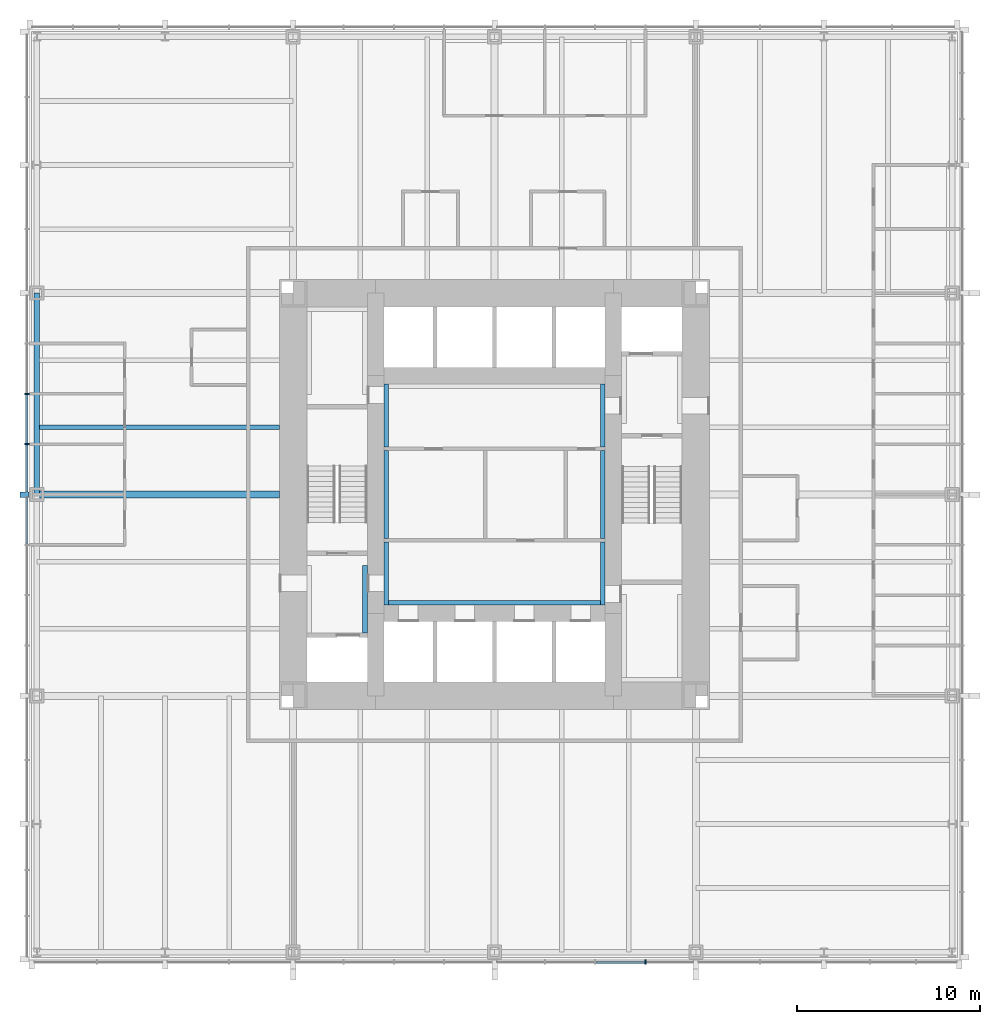
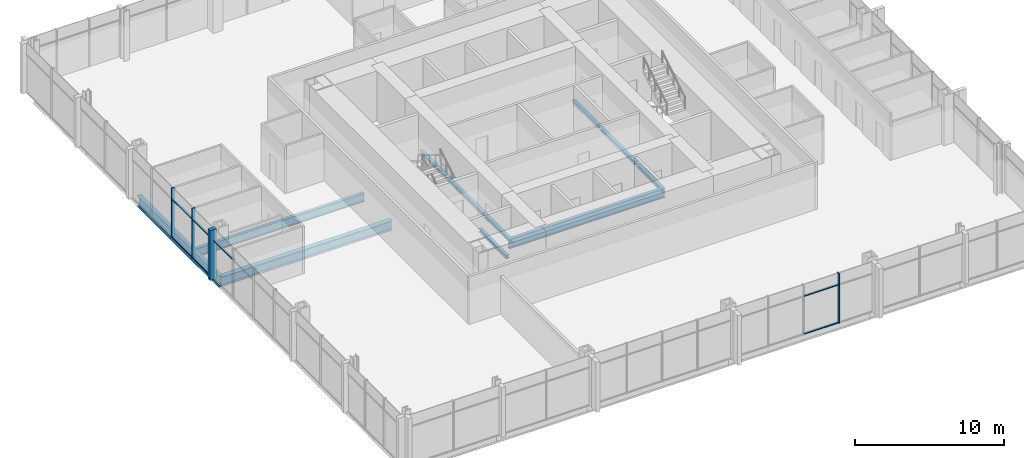
# One storey, part 3 of 12: 11 beams, 11 members, 2 elements without a shape of their own.
"""IFC4 building model written with IfcOpenShell, lengths in metres."""

from ifc_helpers import new_model, si_unit, direction, frame, origin, origin_2d, place, context, subcontext, project, spatial, rectangle, i_section, extrude, material, material_profile, profile_set, type_object, element, aggregate, save


model = new_model("IFC4")

# Units and contexts
model_context = context("Model", 3, precision=1e-05, world=origin(), true_north=direction((0.0, 1.0)))
body_context = subcontext(model_context, "Body", "Model", "MODEL_VIEW")
ifc_project = project(units=[si_unit("LENGTHUNIT", "METRE"), si_unit("AREAUNIT", "SQUARE_METRE"), si_unit("VOLUMEUNIT", "CUBIC_METRE"), si_unit("PLANEANGLEUNIT", "RADIAN"), si_unit("MASSUNIT", "GRAM", prefix="KILO")], contexts=[model_context])

# Site, building, storey
site_placement = place(None, origin())
site = spatial("IfcSite", under=ifc_project, at=site_placement, CompositionType="ELEMENT")
building_placement = place(site_placement, origin())
building = spatial("IfcBuilding", under=site, at=building_placement, Name="Trevanion Tower", CompositionType="ELEMENT")
storey_placement = place(building_placement, frame((0.0, 0.0, 52.89990234375)))
storey = spatial("IfcBuildingStorey", under=building, at=storey_placement, Name="L12", CompositionType="ELEMENT", Elevation=52.89990234375)

# Beam
ifc_material_1 = material(Name="Steel ASTM A992 Grade 50", Category="steel")
ifc_material_profile_1 = material_profile(ifc_material_1, i_section(OverallWidth=0.25390625, OverallDepth=0.700927734375, WebThickness=0.015380859375, FlangeThickness=0.02783203125, at=origin_2d()), Name="W27X129")
ifc_profile_set_1 = profile_set([ifc_material_profile_1], Name="Steel ASTM A992 Grade 50")
beam_type_1 = type_object("IfcBeamType", Name="B3 W27X129", PredefinedType="BEAM", material=ifc_profile_set_1)
beam_1_placement = place(storey_placement, frame((-11.75, 3.666748046875, -0.540283203125), z_axis=(-1.0, 0.0, 0.0), x_axis=(0.0, -1.0, 0.0)))
element("IfcBeam", 1, at=beam_1_placement, inside=storey, type_object=beam_type_1, Name="B3 L12", PredefinedType="BEAM", context=body_context, shape_type="SweptSolid", body=[
    extrude(i_section(OverallWidth=0.25390625, OverallDepth=0.700927734375, WebThickness=0.015380859375, FlangeThickness=0.02783203125, at=origin_2d()), origin(), (0.0, 0.0, 1.0), 13.25),
])

# Curtain wall, members
ifc_material_2 = material(Name="Aluminium and glass", Category="aluminium")
curtain_wall_type = type_object("IfcCurtainWallType", Name="CW1 curtain wall", PredefinedType="USERDEFINED", material=ifc_material_2)
curtain_wall_1_placement = place(storey_placement, origin())
curtain_wall_1 = element("IfcCurtainWall", 2, at=curtain_wall_1_placement, inside=storey, type_object=curtain_wall_type, Name="CW1 L12 2", ObjectType="UNITISED CURTAIN WALL", PredefinedType="USERDEFINED")
ifc_material_3 = material(Name="Aluminium extrusion, anodised bronze", Category="aluminium")
ifc_material_profile_2 = material_profile(ifc_material_3, rectangle(XDim=0.074951171875, YDim=0.25, at=origin_2d()), Name="CW1 mullion")
ifc_profile_set_2 = profile_set([ifc_material_profile_2], Name="Aluminium extrusion, anodised bronze")
member_type_1 = type_object("IfcMemberType", Name="CW1 mullion", PredefinedType="MULLION", material=ifc_profile_set_2)
member_1_placement = place(storey_placement, frame((-25.550048828125, 5.5, -0.18994140625), z_axis=(0.0, 0.0, 1.0), x_axis=(0.0, -1.0, 0.0)))
member_1 = element("IfcMember", 3, at=member_1_placement, type_object=member_type_1, Name="CW1 mullion 7", PredefinedType="MULLION", context=body_context, shape_type="SweptSolid", body=[
    extrude(rectangle(XDim=0.074951171875, YDim=0.25, at=origin_2d()), origin(), (0.0, 0.0, 1.0), 4.10009765625),
])
member_2_placement = place(storey_placement, frame((-25.550048828125, 2.75, -0.18994140625), z_axis=(0.0, 0.0, 1.0), x_axis=(0.0, -1.0, 0.0)))
member_2 = element("IfcMember", 4, at=member_2_placement, type_object=member_type_1, Name="CW1 mullion 8", PredefinedType="MULLION", context=body_context, shape_type="SweptSolid", body=[
    extrude(rectangle(XDim=0.074951171875, YDim=0.25, at=origin_2d()), origin(), (0.0, 0.0, 1.0), 4.10009765625),
])

# Curtain wall, member
curtain_wall_2_placement = place(storey_placement, origin())
curtain_wall_2 = element("IfcCurtainWall", 5, at=curtain_wall_2_placement, inside=storey, type_object=curtain_wall_type, Name="CW1 L12 3", ObjectType="UNITISED CURTAIN WALL", PredefinedType="USERDEFINED")
member_3_placement = place(storey_placement, frame((8.25, -25.550048828125, -0.18994140625), z_axis=(0.0, 0.0, 1.0), x_axis=(1.0, 0.0, 0.0)))
member_3 = element("IfcMember", 6, at=member_3_placement, type_object=member_type_1, Name="CW1 mullion 12", PredefinedType="MULLION", context=body_context, shape_type="SweptSolid", body=[
    extrude(rectangle(XDim=0.074951171875, YDim=0.25, at=origin_2d()), origin(), (0.0, 0.0, 1.0), 4.10009765625),
])

# Member
ifc_material_4 = material(Name="Aluminium extrusion, anodised bronze", Category="aluminium")
ifc_material_profile_3 = material_profile(ifc_material_4, rectangle(XDim=0.300048828125, YDim=0.5, at=origin_2d()), Name="CW1 pier mullion")
ifc_profile_set_3 = profile_set([ifc_material_profile_3], Name="Aluminium extrusion, anodised bronze")
member_type_2 = type_object("IfcMemberType", Name="CW1 pier mullion", PredefinedType="MULLION", material=ifc_profile_set_3)
member_4_placement = place(storey_placement, frame((-25.675048828125, 0.0, -0.18994140625), z_axis=(0.0, 0.0, 1.0), x_axis=(0.0, -1.0, 0.0)))
member_4 = element("IfcMember", 7, at=member_4_placement, type_object=member_type_2, Name="CW1 pier mullion 9", PredefinedType="MULLION", context=body_context, shape_type="SweptSolid", body=[
    extrude(rectangle(XDim=0.300048828125, YDim=0.5, at=origin_2d()), origin(), (0.0, 0.0, 1.0), 4.10009765625),
])

ifc_material_5 = material(Name="Aluminium extrusion, anodised bronze", Category="aluminium")
ifc_material_profile_4 = material_profile(ifc_material_5, rectangle(XDim=0.14990234375, YDim=0.074951171875, at=origin_2d()), Name="CW1 transom")
ifc_profile_set_4 = profile_set([ifc_material_profile_4], Name="Aluminium extrusion, anodised bronze")
member_type_3 = type_object("IfcMemberType", Name="CW1 transom", PredefinedType="USERDEFINED", material=ifc_profile_set_4)
member_5_placement = place(storey_placement, frame((-25.550048828125, 5.46240234375, -0.15234375), z_axis=(0.0, -1.0, 0.0), x_axis=(1.0, 0.0, 0.0)))
member_5 = element("IfcMember", 8, at=member_5_placement, type_object=member_type_3, Name="CW1 transom 7.1", ObjectType="TRANSOM", PredefinedType="USERDEFINED", context=body_context, shape_type="SweptSolid", body=[
    extrude(rectangle(XDim=0.14990234375, YDim=0.074951171875, at=origin_2d()), origin(), (0.0, 0.0, 1.0), 2.6748046875),
])

member_6_placement = place(storey_placement, frame((-25.550048828125, 5.46240234375, 2.960205078125), z_axis=(0.0, -1.0, 0.0), x_axis=(1.0, 0.0, 0.0)))
member_6 = element("IfcMember", 9, at=member_6_placement, type_object=member_type_3, Name="CW1 transom 7.2", ObjectType="TRANSOM", PredefinedType="USERDEFINED", context=body_context, shape_type="SweptSolid", body=[
    extrude(rectangle(XDim=0.14990234375, YDim=0.074951171875, at=origin_2d()), origin(), (0.0, 0.0, 1.0), 2.6748046875),
])

member_7_placement = place(storey_placement, frame((-25.550048828125, 2.71240234375, -0.15234375), z_axis=(0.0, -1.0, 0.0), x_axis=(1.0, 0.0, 0.0)))
member_7 = element("IfcMember", 10, at=member_7_placement, type_object=member_type_3, Name="CW1 transom 8.1", ObjectType="TRANSOM", PredefinedType="USERDEFINED", context=body_context, shape_type="SweptSolid", body=[
    extrude(rectangle(XDim=0.14990234375, YDim=0.074951171875, at=origin_2d()), origin(), (0.0, 0.0, 1.0), 2.5625),
])

member_8_placement = place(storey_placement, frame((-25.550048828125, 2.71240234375, 2.960205078125), z_axis=(0.0, -1.0, 0.0), x_axis=(1.0, 0.0, 0.0)))
member_8 = element("IfcMember", 11, at=member_8_placement, type_object=member_type_3, Name="CW1 transom 8.2", ObjectType="TRANSOM", PredefinedType="USERDEFINED", context=body_context, shape_type="SweptSolid", body=[
    extrude(rectangle(XDim=0.14990234375, YDim=0.074951171875, at=origin_2d()), origin(), (0.0, 0.0, 1.0), 2.5625),
])

member_9_placement = place(storey_placement, frame((-25.550048828125, -0.14990234375, 2.960205078125), z_axis=(0.0, -1.0, 0.0), x_axis=(1.0, 0.0, 0.0)))
member_9 = element("IfcMember", 12, at=member_9_placement, type_object=member_type_3, Name="CW1 transom 9.2", ObjectType="TRANSOM", PredefinedType="USERDEFINED", context=body_context, shape_type="SweptSolid", body=[
    extrude(rectangle(XDim=0.14990234375, YDim=0.074951171875, at=origin_2d()), origin(), (0.0, 0.0, 1.0), 2.5625),
])

aggregate(curtain_wall_1, [member_1, member_2, member_4, member_5, member_6, member_7, member_8, member_9])

member_10_placement = place(storey_placement, frame((5.53759765625, -25.550048828125, -0.15234375), z_axis=(1.0, 0.0, 0.0), x_axis=(0.0, 1.0, 0.0)))
member_10 = element("IfcMember", 13, at=member_10_placement, type_object=member_type_3, Name="CW1 transom 11.1", ObjectType="TRANSOM", PredefinedType="USERDEFINED", context=body_context, shape_type="SweptSolid", body=[
    extrude(rectangle(XDim=0.14990234375, YDim=0.074951171875, at=origin_2d()), origin(), (0.0, 0.0, 1.0), 2.6748046875),
])

member_11_placement = place(storey_placement, frame((5.53759765625, -25.550048828125, 2.960205078125), z_axis=(1.0, 0.0, 0.0), x_axis=(0.0, 1.0, 0.0)))
member_11 = element("IfcMember", 14, at=member_11_placement, type_object=member_type_3, Name="CW1 transom 11.2", ObjectType="TRANSOM", PredefinedType="USERDEFINED", context=body_context, shape_type="SweptSolid", body=[
    extrude(rectangle(XDim=0.14990234375, YDim=0.074951171875, at=origin_2d()), origin(), (0.0, 0.0, 1.0), 2.6748046875),
])

aggregate(curtain_wall_2, [member_3, member_10, member_11])

# Beams
ifc_material_6 = material(Name="Steel ASTM A992 Grade 50", Category="steel")
ifc_material_profile_5 = material_profile(ifc_material_6, i_section(OverallWidth=0.381103515625, OverallDepth=0.77978515625, WebThickness=0.01806640625, FlangeThickness=0.0302734375, at=origin_2d()), Name="W30X191")
ifc_profile_set_5 = profile_set([ifc_material_profile_5], Name="Steel ASTM A992 Grade 50")
beam_type_2 = type_object("IfcBeamType", Name="G2 W30X191", PredefinedType="BEAM", material=ifc_profile_set_5)
beam_2_placement = place(storey_placement, frame((-11.75, 0.0, -0.579833984375), z_axis=(-1.0, 0.0, 0.0), x_axis=(0.0, -1.0, 0.0)))
element("IfcBeam", 15, at=beam_2_placement, inside=storey, type_object=beam_type_2, Name="G2 L12", PredefinedType="BEAM", context=body_context, shape_type="SweptSolid", body=[
    extrude(i_section(OverallWidth=0.381103515625, OverallDepth=0.77978515625, WebThickness=0.01806640625, FlangeThickness=0.0302734375, at=origin_2d()), origin(), (0.0, 0.0, 1.0), 13.25),
])
ifc_material_7 = material(Name="Steel ASTM A992 Grade 50", Category="steel")
ifc_material_profile_6 = material_profile(ifc_material_7, i_section(OverallWidth=0.256591796875, OverallDepth=0.26416015625, WebThickness=0.011962890625, FlangeThickness=0.01953125, at=origin_2d()), Name="W10X68")
ifc_profile_set_6 = profile_set([ifc_material_profile_6], Name="Steel ASTM A992 Grade 50")
beam_type_3 = type_object("IfcBeamType", Name="LB1 W10X68", PredefinedType="BEAM", material=ifc_profile_set_6)
for number, where, z_axis, x_axis, name in (
    (16, (-5.921630859375, 2.60009765625, -0.33203125), (0.0, 1.0, 0.0), (-1.0, 0.0, 0.0), "LB1 L12"),
    (17, (5.921630859375, 2.60009765625, -0.33203125), (0.0, 1.0, 0.0), (-1.0, 0.0, 0.0), "LB1 L12"),
    (18, (-5.921630859375, -6.050048828125, -0.33203125), (0.0, 1.0, 0.0), (-1.0, 0.0, 0.0), "LB1 L12"),
    (19, (5.921630859375, -6.050048828125, -0.33203125), (0.0, 1.0, 0.0), (-1.0, 0.0, 0.0), "LB1 L12"),
):
    element("IfcBeam", number, at=place(storey_placement, frame(where, z_axis=z_axis, x_axis=x_axis)), inside=storey, type_object=beam_type_3, Name=name, PredefinedType="BEAM", context=body_context, shape_type="SweptSolid", body=[
        extrude(i_section(OverallWidth=0.256591796875, OverallDepth=0.26416015625, WebThickness=0.011962890625, FlangeThickness=0.01953125, at=origin_2d()), origin(), (0.0, 0.0, 1.0), 3.449951171875),
    ])
beam_3_placement = place(storey_placement, frame((-7.078369140625, -7.574951171875, -0.33203125), z_axis=(0.0, 1.0, 0.0), x_axis=(-1.0, 0.0, 0.0)))
element("IfcBeam", 20, at=beam_3_placement, inside=storey, type_object=beam_type_3, Name="LB1 L12", PredefinedType="BEAM", context=body_context, shape_type="SweptSolid", body=[
    extrude(i_section(OverallWidth=0.256591796875, OverallDepth=0.26416015625, WebThickness=0.011962890625, FlangeThickness=0.01953125, at=origin_2d()), origin(), (0.0, 0.0, 1.0), 3.699951171875),
])
for number, where, z_axis, x_axis, name in (
    (21, (-5.921630859375, -2.39990234375, -0.33203125), (0.0, 1.0, 0.0), (-1.0, 0.0, 0.0), "LB1 L12"),
    (22, (5.921630859375, -2.39990234375, -0.33203125), (0.0, 1.0, 0.0), (-1.0, 0.0, 0.0), "LB1 L12"),
):
    element("IfcBeam", number, at=place(storey_placement, frame(where, z_axis=z_axis, x_axis=x_axis)), inside=storey, type_object=beam_type_3, Name=name, PredefinedType="BEAM", context=body_context, shape_type="SweptSolid", body=[
        extrude(i_section(OverallWidth=0.256591796875, OverallDepth=0.26416015625, WebThickness=0.011962890625, FlangeThickness=0.01953125, at=origin_2d()), origin(), (0.0, 0.0, 1.0), 4.7998046875),
    ])
ifc_material_8 = material(Name="Steel ASTM A992 Grade 50", Category="steel")
ifc_material_profile_7 = material_profile(ifc_material_8, i_section(OverallWidth=0.2666015625, OverallDepth=0.76953125, WebThickness=0.015625, FlangeThickness=0.025390625, at=origin_2d()), Name="W30X132")
ifc_profile_set_7 = profile_set([ifc_material_profile_7], Name="Steel ASTM A992 Grade 50")
beam_type_4 = type_object("IfcBeamType", Name="LB3 W30X132", PredefinedType="BEAM", material=ifc_profile_set_7)
beam_4_placement = place(storey_placement, frame((-6.050048828125, -5.91650390625, -0.584716796875), z_axis=(1.0, 0.0, 0.0), x_axis=(0.0, 1.0, 0.0)))
element("IfcBeam", 23, at=beam_4_placement, inside=storey, type_object=beam_type_4, Name="LB3 L12", PredefinedType="BEAM", context=body_context, shape_type="SweptSolid", body=[
    extrude(i_section(OverallWidth=0.2666015625, OverallDepth=0.76953125, WebThickness=0.015625, FlangeThickness=0.025390625, at=origin_2d()), origin(), (0.0, 0.0, 1.0), 12.10009765625),
])
ifc_material_9 = material(Name="Steel ASTM A992 Grade 50", Category="steel")
ifc_material_profile_8 = material_profile(ifc_material_9, i_section(OverallWidth=0.307373046875, OverallDepth=0.927001953125, WebThickness=0.01953125, FlangeThickness=0.031982421875, at=origin_2d()), Name="W36X194")
ifc_profile_set_8 = profile_set([ifc_material_profile_8], Name="Steel ASTM A992 Grade 50")
beam_type_5 = type_object("IfcBeamType", Name="SB2 W36X194", PredefinedType="SPANDREL", material=ifc_profile_set_8)
beam_5_placement = place(storey_placement, frame((-25.0, 11.0, -0.6533203125), z_axis=(0.0, -1.0, 0.0), x_axis=(1.0, 0.0, 0.0)))
element("IfcBeam", 24, at=beam_5_placement, inside=storey, type_object=beam_type_5, Name="SB2 L12", PredefinedType="SPANDREL", context=body_context, shape_type="SweptSolid", body=[
    extrude(i_section(OverallWidth=0.307373046875, OverallDepth=0.927001953125, WebThickness=0.01953125, FlangeThickness=0.031982421875, at=origin_2d()), origin(), (0.0, 0.0, 1.0), 11.0),
])

save(model, "model.ifc")
